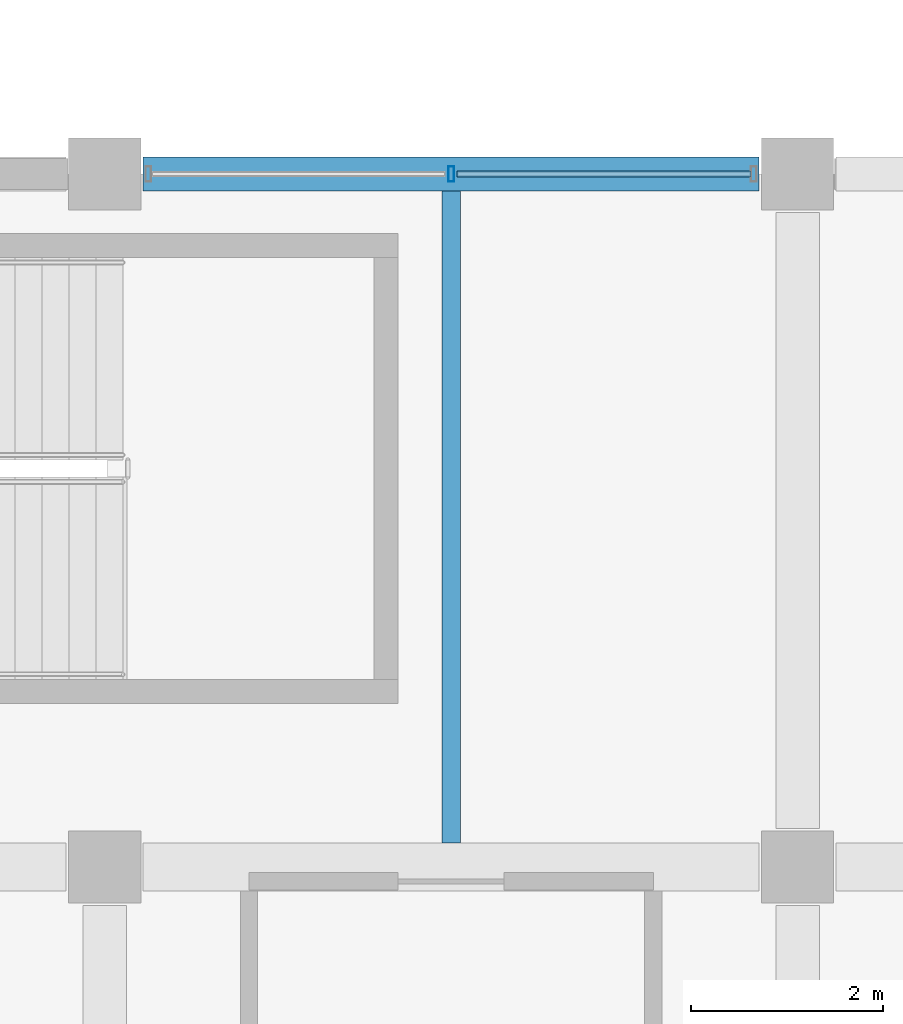
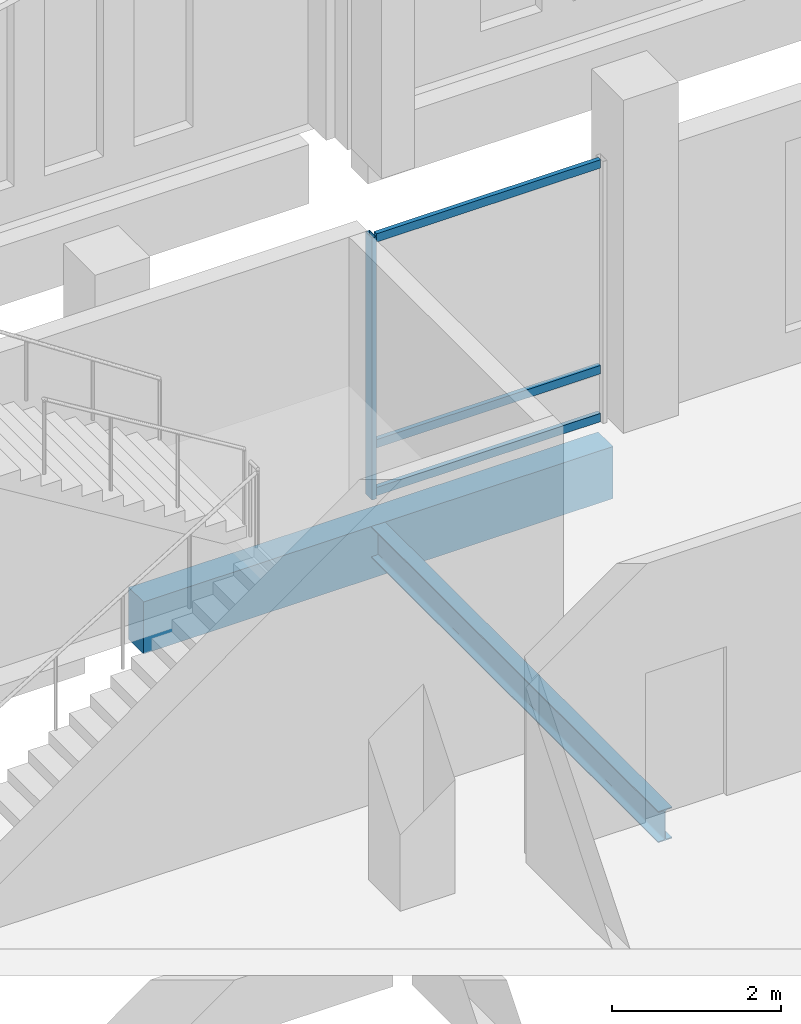
# One storey, part 67 of 193: 4 members, 2 beams, 1 element without a shape of its own.
"""IFC4 building model written with IfcOpenShell, lengths in metres."""

from ifc_helpers import new_model, si_unit, direction, frame, origin, origin_2d, place, context, subcontext, project, spatial, rectangle, hollow_rectangle, i_section, extrude, material, material_profile, profile_set, type_object, element, aggregate, save


model = new_model("IFC4")

# Units and contexts
model_context = context("Model", 3, precision=1e-05, world=origin(), true_north=direction((0.0, 1.0)))
body_context = subcontext(model_context, "Body", "Model", "MODEL_VIEW")
ifc_project = project(units=[si_unit("LENGTHUNIT", "METRE"), si_unit("AREAUNIT", "SQUARE_METRE"), si_unit("VOLUMEUNIT", "CUBIC_METRE"), si_unit("PLANEANGLEUNIT", "RADIAN"), si_unit("MASSUNIT", "GRAM", prefix="KILO")], contexts=[model_context])

# Site, building, storey
site_placement = place(None, origin())
site = spatial("IfcSite", under=ifc_project, at=site_placement, CompositionType="ELEMENT")
building_placement = place(site_placement, origin())
building = spatial("IfcBuilding", under=site, at=building_placement, Name="Cendralis Lancet Convention Centre", CompositionType="ELEMENT")
storey_placement = place(building_placement, frame((0.0, 0.0, 10.199951171875)))
storey = spatial("IfcBuildingStorey", under=building, at=storey_placement, Name="L02", CompositionType="ELEMENT", Elevation=10.199951171875)

# Curtain wall, members
ifc_material_1 = material(Name="Anodised bronze architectural aluminium", Category="aluminium")
curtain_wall_type = type_object("IfcCurtainWallType", Name="ARC-CW-CL02", PredefinedType="USERDEFINED", material=ifc_material_1)
curtain_wall_placement = place(storey_placement, origin())
curtain_wall = element("IfcCurtainWall", 1, at=curtain_wall_placement, inside=storey, type_object=curtain_wall_type, Name="L02 Curtain Wall CW-CL2 #185", ObjectType="CURTAIN WALL", PredefinedType="USERDEFINED")
ifc_material_profile_1 = material_profile(ifc_material_1, hollow_rectangle(XDim=0.06005859375, YDim=0.159912109375, WallThickness=0.00390625, at=origin_2d()), Name="AL-MULL 60x160x4.0")
ifc_profile_set_1 = profile_set([ifc_material_profile_1], Name="Anodised bronze architectural aluminium")
member_type_1 = type_object("IfcMemberType", Name="ARC-CW-ML01", PredefinedType="MULLION", material=ifc_profile_set_1)
member_1_placement = place(storey_placement, frame((157.199951171875, 36.0, 0.0), z_axis=(0.0, 0.0, 1.0), x_axis=(1.0, 0.0, 0.0)))
member_1 = element("IfcMember", 2, at=member_1_placement, type_object=member_type_1, Name="Mullion CW2-CW-CL2-L02-185-M1", PredefinedType="MULLION", context=body_context, shape_type="SweptSolid", body=[
    extrude(hollow_rectangle(XDim=0.06005859375, YDim=0.159912109375, WallThickness=0.00390625, at=origin_2d()), origin(), (0.0, 0.0, 1.0), 3.775146484375),
])
ifc_material_profile_2 = material_profile(ifc_material_1, hollow_rectangle(XDim=0.06005859375, YDim=0.1201171875, WallThickness=0.00390625, at=origin_2d()), Name="AL-TRAN 60x120x4.0")
ifc_profile_set_2 = profile_set([ifc_material_profile_2], Name="Anodised bronze architectural aluminium")
member_type_2 = type_object("IfcMemberType", Name="ARC-CW-TR01", PredefinedType="USERDEFINED", material=ifc_profile_set_2)
member_2_placement = place(storey_placement, frame((157.260009765625, 36.0, 0.06005859375), z_axis=(1.0, 0.0, 0.0), x_axis=(0.0, 1.0, 0.0)))
member_2 = element("IfcMember", 3, at=member_2_placement, type_object=member_type_2, Name="Transom CW2-CW-CL2-L02-185-T1BOT", ObjectType="TRANSOM", PredefinedType="USERDEFINED", context=body_context, shape_type="SweptSolid", body=[
    extrude(hollow_rectangle(XDim=0.06005859375, YDim=0.1201171875, WallThickness=0.00390625, at=origin_2d()), origin(), (0.0, 0.0, 1.0), 3.054931640625),
])
member_3_placement = place(storey_placement, frame((157.260009765625, 36.0, 0.75), z_axis=(1.0, 0.0, 0.0), x_axis=(0.0, 1.0, 0.0)))
member_3 = element("IfcMember", 4, at=member_3_placement, type_object=member_type_2, Name="Transom CW2-CW-CL2-L02-185-T1MID", ObjectType="TRANSOM", PredefinedType="USERDEFINED", context=body_context, shape_type="SweptSolid", body=[
    extrude(hollow_rectangle(XDim=0.06005859375, YDim=0.1201171875, WallThickness=0.00390625, at=origin_2d()), origin(), (0.0, 0.0, 1.0), 3.054931640625),
])
member_4_placement = place(storey_placement, frame((157.260009765625, 36.0, 3.715087890625), z_axis=(1.0, 0.0, 0.0), x_axis=(0.0, 1.0, 0.0)))
member_4 = element("IfcMember", 5, at=member_4_placement, type_object=member_type_2, Name="Transom CW2-CW-CL2-L02-185-T1TOP", ObjectType="TRANSOM", PredefinedType="USERDEFINED", context=body_context, shape_type="SweptSolid", body=[
    extrude(hollow_rectangle(XDim=0.06005859375, YDim=0.1201171875, WallThickness=0.00390625, at=origin_2d()), origin(), (0.0, 0.0, 1.0), 3.054931640625),
])
aggregate(curtain_wall, [member_1, member_2, member_3, member_4])

# Beams
ifc_material_2 = material(Name="Steel S355", Category="steel")
ifc_material_profile_3 = material_profile(ifc_material_2, i_section(OverallWidth=0.18994140625, OverallDepth=0.449951171875, WebThickness=0.009521484375, FlangeThickness=0.0146484375, FilletRadius=0.02099609375, at=origin_2d()), Name="IPE 450")
ifc_profile_set_3 = profile_set([ifc_material_profile_3], Name="Steel S355")
beam_type_1 = type_object("IfcBeamType", Name="STR-JS-BJ07", PredefinedType="JOIST", material=ifc_profile_set_3)
beam_1_placement = place(storey_placement, frame((157.199951171875, 29.050048828125, -0.52490234375), z_axis=(0.0, 1.0, 0.0), x_axis=(-1.0, 0.0, 0.0)))
element("IfcBeam", 6, at=beam_1_placement, inside=storey, type_object=beam_type_1, Name="L02 Beam BJ07 #0358", PredefinedType="JOIST", context=body_context, shape_type="SweptSolid", body=[
    extrude(i_section(OverallWidth=0.18994140625, OverallDepth=0.449951171875, WebThickness=0.009521484375, FlangeThickness=0.0146484375, FilletRadius=0.02099609375, at=origin_2d()), origin(), (0.0, 0.0, 1.0), 6.77490234375),
])
ifc_material_3 = material(Name="Concrete G40 (C40/50)", Category="concrete")
ifc_material_profile_4 = material_profile(ifc_material_3, rectangle(XDim=0.35009765625, YDim=0.75, at=origin_2d()), Name="RCB 350x750")
ifc_profile_set_4 = profile_set([ifc_material_profile_4], Name="Concrete G40 (C40/50)")
beam_type_2 = type_object("IfcBeamType", Name="STR-SP-SP01", PredefinedType="SPANDREL", material=ifc_profile_set_4)
beam_2_placement = place(storey_placement, frame((154.0, 36.0, -0.675048828125), z_axis=(1.0, 0.0, 0.0), x_axis=(0.0, 1.0, 0.0)))
element("IfcBeam", 7, at=beam_2_placement, inside=storey, type_object=beam_type_2, Name="L02 Beam SP01 #0296", PredefinedType="SPANDREL", context=body_context, shape_type="SweptSolid", body=[
    extrude(rectangle(XDim=0.35009765625, YDim=0.75, at=origin_2d()), origin(), (0.0, 0.0, 1.0), 6.39990234375),
])

save(model, "model.ifc")
